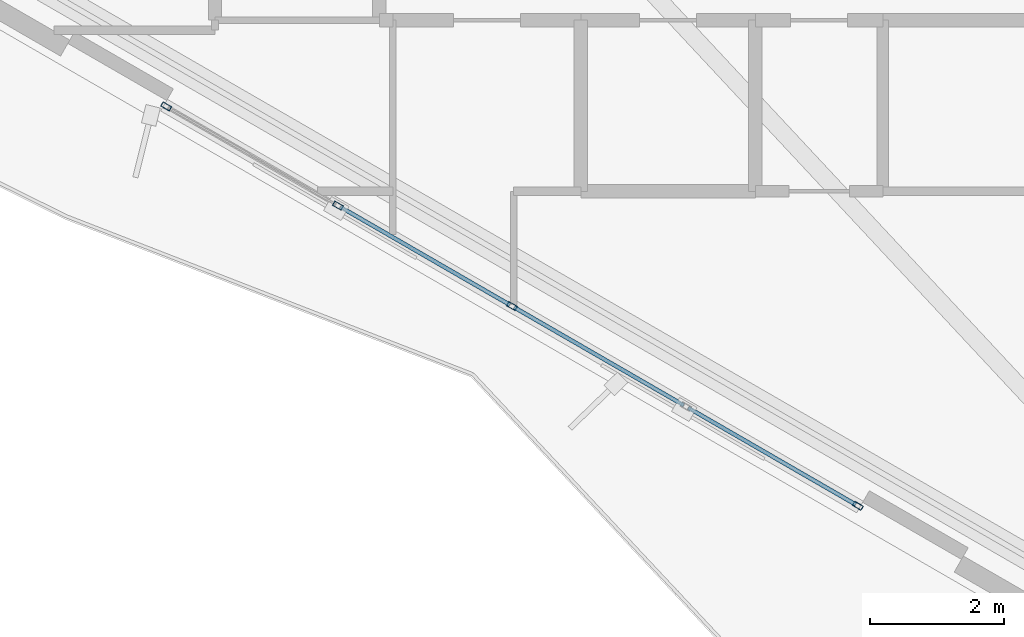
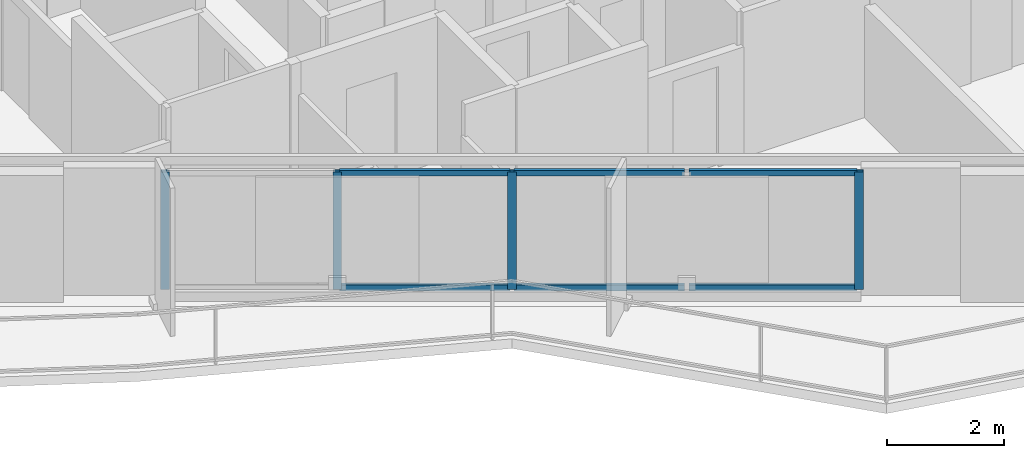
# One storey, part 2 of 19: 10 members, 1 element without a shape of its own.
"""IFC4 building model written with IfcOpenShell, lengths in metres."""

from ifc_helpers import new_model, si_unit, direction, frame, origin, origin_2d, place, context, subcontext, project, spatial, hollow_rectangle, extrude, material, layer, layer_set, material_profile, profile_set, type_object, element, aggregate, save


model = new_model("IFC4")

# Units and contexts
model_context = context("Model", 3, precision=1e-05, world=origin(), true_north=direction((0.0, 1.0)))
body_context = subcontext(model_context, "Body", "Model", "MODEL_VIEW")
ifc_project = project(units=[si_unit("LENGTHUNIT", "METRE"), si_unit("AREAUNIT", "SQUARE_METRE"), si_unit("VOLUMEUNIT", "CUBIC_METRE"), si_unit("PLANEANGLEUNIT", "RADIAN"), si_unit("MASSUNIT", "GRAM", prefix="KILO")], contexts=[model_context])

# Site, building, storey
site_placement = place(None, origin())
site = spatial("IfcSite", under=ifc_project, at=site_placement, CompositionType="ELEMENT")
building_placement = place(site_placement, origin())
building = spatial("IfcBuilding", under=site, at=building_placement, Name="Mersakhor Tower and Convention Hall", CompositionType="ELEMENT")
storey_placement = place(building_placement, frame((0.0, 0.0, 25.800048828125)))
storey = spatial("IfcBuildingStorey", under=building, at=storey_placement, Name="L06", CompositionType="ELEMENT", Elevation=25.800048828125)

# Curtain wall, members
ifc_material_1 = material(Name="Dark solar low-E aluminium curtain wall", Category="aluminium")
ifc_layer = layer(ifc_material_1, 0.159912109375)
ifc_layer_set = layer_set([ifc_layer], Name="Dark solar low-E aluminium curtain wall")
curtain_wall_type = type_object("IfcCurtainWallType", Name="CW-SYS-01", PredefinedType="USERDEFINED", material=ifc_layer_set)
curtain_wall_placement = place(storey_placement, origin())
curtain_wall = element("IfcCurtainWall", 1, at=curtain_wall_placement, inside=storey, type_object=curtain_wall_type, Name="L06 Dark-Glass Curtain Wall F3-B2", ObjectType="CURTAIN WALL", PredefinedType="USERDEFINED")
ifc_material_2 = material(Name="Anodised aluminium EN AW-6063 T6", Category="aluminium")
ifc_material_profile_1 = material_profile(ifc_material_2, hollow_rectangle(XDim=0.074951171875, YDim=0.14990234375, WallThickness=0.00634765625, at=origin_2d()), Name="RHS 150x75x6.3")
ifc_profile_set_1 = profile_set([ifc_material_profile_1], Name="Anodised aluminium EN AW-6063 T6")
member_type_1 = type_object("IfcMemberType", Name="CWM-150x75", PredefinedType="MULLION", material=ifc_profile_set_1)
member_1_placement = place(storey_placement, frame((26.72705078125, 10.9150390625, 0.199951171875), z_axis=(0.0, 0.0, 1.0), x_axis=(-0.50000344889, -0.866023412558, 0.0)))
member_1 = element("IfcMember", 2, at=member_1_placement, type_object=member_type_1, Name="CW-01 mullion 1", PredefinedType="MULLION", context=body_context, shape_type="SweptSolid", body=[
    extrude(hollow_rectangle(XDim=0.074951171875, YDim=0.14990234375, WallThickness=0.00634765625, at=origin_2d()), origin(), (0.0, 0.0, 1.0), 2.4599609375),
])
member_2_placement = place(storey_placement, frame((21.574951171875, 13.889404296875, 0.199951171875), z_axis=(0.0, 0.0, 1.0), x_axis=(-0.50000344889, -0.866023412558, 0.0)))
member_2 = element("IfcMember", 3, at=member_2_placement, type_object=member_type_1, Name="CW-01 mullion 3", PredefinedType="MULLION", context=body_context, shape_type="SweptSolid", body=[
    extrude(hollow_rectangle(XDim=0.074951171875, YDim=0.14990234375, WallThickness=0.00634765625, at=origin_2d()), origin(), (0.0, 0.0, 1.0), 2.4599609375),
])
member_3_placement = place(storey_placement, frame((18.982666015625, 15.38623046875, 0.199951171875), z_axis=(0.0, 0.0, 1.0), x_axis=(-0.50000344889, -0.866023412558, 0.0)))
member_3 = element("IfcMember", 4, at=member_3_placement, type_object=member_type_1, Name="CW-01 mullion 4", PredefinedType="MULLION", context=body_context, shape_type="SweptSolid", body=[
    extrude(hollow_rectangle(XDim=0.074951171875, YDim=0.14990234375, WallThickness=0.00634765625, at=origin_2d()), origin(), (0.0, 0.0, 1.0), 2.4599609375),
])
member_4_placement = place(storey_placement, frame((16.423095703125, 16.864013671875, 0.199951171875), z_axis=(0.0, 0.0, 1.0), x_axis=(-0.50000344889, -0.866023412558, 0.0)))
member_4 = element("IfcMember", 5, at=member_4_placement, type_object=member_type_1, Name="CW-01 mullion 5", PredefinedType="MULLION", context=body_context, shape_type="SweptSolid", body=[
    extrude(hollow_rectangle(XDim=0.074951171875, YDim=0.14990234375, WallThickness=0.00634765625, at=origin_2d()), origin(), (0.0, 0.0, 1.0), 2.4599609375),
])
ifc_material_3 = material(Name="Anodised aluminium EN AW-6063 T6", Category="aluminium")
ifc_material_profile_2 = material_profile(ifc_material_3, hollow_rectangle(XDim=0.06005859375, YDim=0.1201171875, WallThickness=0.0048828125, at=origin_2d()), Name="RHS 120x60x5")
ifc_profile_set_2 = profile_set([ifc_material_profile_2], Name="Anodised aluminium EN AW-6063 T6")
member_type_2 = type_object("IfcMemberType", Name="CWT-120x60", PredefinedType="USERDEFINED", material=ifc_profile_set_2)
member_5_placement = place(storey_placement, frame((26.694580078125, 10.93359375, 0.22998046875), z_axis=(-0.866023290103, 0.500003660985, 0.0), x_axis=(-0.500003660985, -0.866023290103, 0.0)))
member_5 = element("IfcMember", 6, at=member_5_placement, type_object=member_type_2, Name="CW-01 transom 1.1", ObjectType="TRANSOM", PredefinedType="USERDEFINED", context=body_context, shape_type="SweptSolid", body=[
    extrude(hollow_rectangle(XDim=0.06005859375, YDim=0.1201171875, WallThickness=0.0048828125, at=origin_2d()), origin(), (0.0, 0.0, 1.0), 2.880859375),
])
member_6_placement = place(storey_placement, frame((26.694580078125, 10.93359375, 2.6298828125), z_axis=(-0.866023290103, 0.500003660985, 0.0), x_axis=(-0.500003660985, -0.866023290103, 0.0)))
member_6 = element("IfcMember", 7, at=member_6_placement, type_object=member_type_2, Name="CW-01 transom 1.2", ObjectType="TRANSOM", PredefinedType="USERDEFINED", context=body_context, shape_type="SweptSolid", body=[
    extrude(hollow_rectangle(XDim=0.06005859375, YDim=0.1201171875, WallThickness=0.0048828125, at=origin_2d()), origin(), (0.0, 0.0, 1.0), 2.880859375),
])
member_7_placement = place(storey_placement, frame((24.134765625, 12.41162109375, 0.22998046875), z_axis=(-0.866015622527, 0.500016941252, 0.0), x_axis=(-0.500016941252, -0.866015622527, 0.0)))
member_7 = element("IfcMember", 8, at=member_7_placement, type_object=member_type_2, Name="CW-01 transom 2.1", ObjectType="TRANSOM", PredefinedType="USERDEFINED", context=body_context, shape_type="SweptSolid", body=[
    extrude(hollow_rectangle(XDim=0.06005859375, YDim=0.1201171875, WallThickness=0.0048828125, at=origin_2d()), origin(), (0.0, 0.0, 1.0), 2.91845703125),
])
member_8_placement = place(storey_placement, frame((24.134765625, 12.41162109375, 2.6298828125), z_axis=(-0.866015622527, 0.500016941252, 0.0), x_axis=(-0.500016941252, -0.866015622527, 0.0)))
member_8 = element("IfcMember", 9, at=member_8_placement, type_object=member_type_2, Name="CW-01 transom 2.2", ObjectType="TRANSOM", PredefinedType="USERDEFINED", context=body_context, shape_type="SweptSolid", body=[
    extrude(hollow_rectangle(XDim=0.06005859375, YDim=0.1201171875, WallThickness=0.0048828125, at=origin_2d()), origin(), (0.0, 0.0, 1.0), 2.91845703125),
])
member_9_placement = place(storey_placement, frame((21.54248046875, 13.908203125, 0.22998046875), z_axis=(-0.866015622527, 0.500016941252, 0.0), x_axis=(-0.500016941252, -0.866015622527, 0.0)))
member_9 = element("IfcMember", 10, at=member_9_placement, type_object=member_type_2, Name="CW-01 transom 3.1", ObjectType="TRANSOM", PredefinedType="USERDEFINED", context=body_context, shape_type="SweptSolid", body=[
    extrude(hollow_rectangle(XDim=0.06005859375, YDim=0.1201171875, WallThickness=0.0048828125, at=origin_2d()), origin(), (0.0, 0.0, 1.0), 2.91845703125),
])
member_10_placement = place(storey_placement, frame((21.54248046875, 13.908203125, 2.6298828125), z_axis=(-0.866015622527, 0.500016941252, 0.0), x_axis=(-0.500016941252, -0.866015622527, 0.0)))
member_10 = element("IfcMember", 11, at=member_10_placement, type_object=member_type_2, Name="CW-01 transom 3.2", ObjectType="TRANSOM", PredefinedType="USERDEFINED", context=body_context, shape_type="SweptSolid", body=[
    extrude(hollow_rectangle(XDim=0.06005859375, YDim=0.1201171875, WallThickness=0.0048828125, at=origin_2d()), origin(), (0.0, 0.0, 1.0), 2.91845703125),
])
aggregate(curtain_wall, [member_1, member_2, member_3, member_4, member_5, member_6, member_7, member_8, member_9, member_10])

save(model, "model.ifc")
